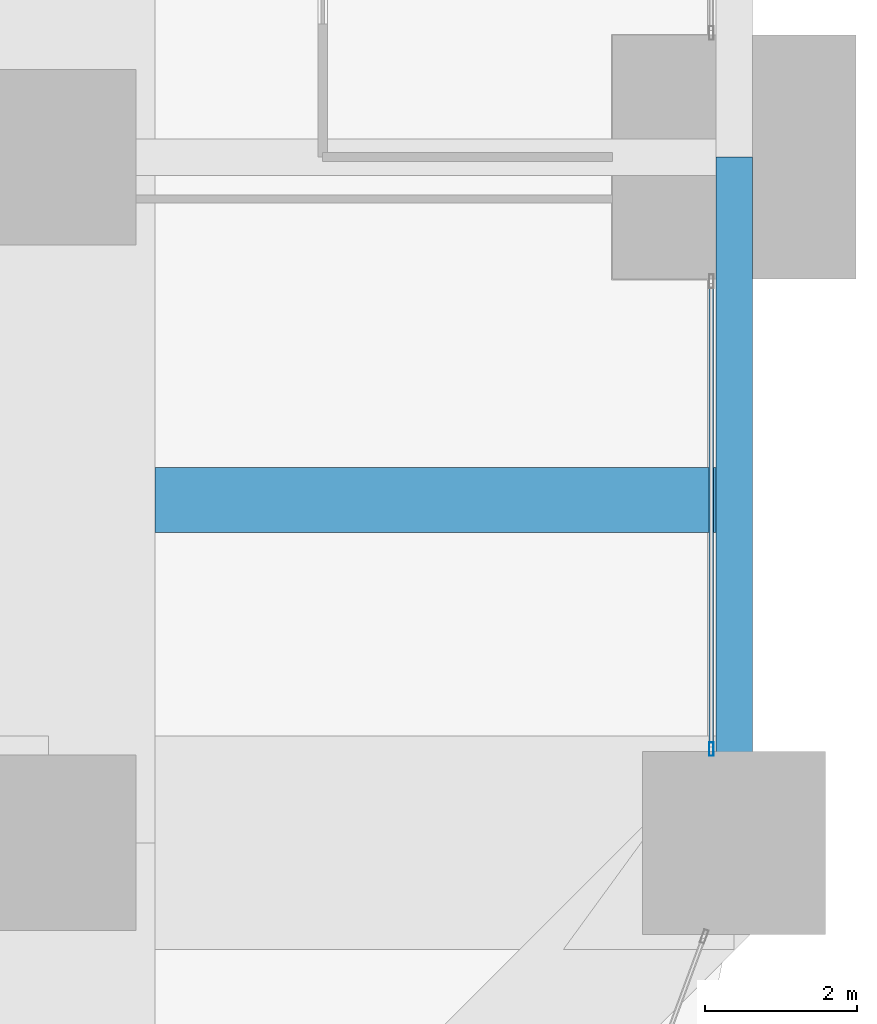
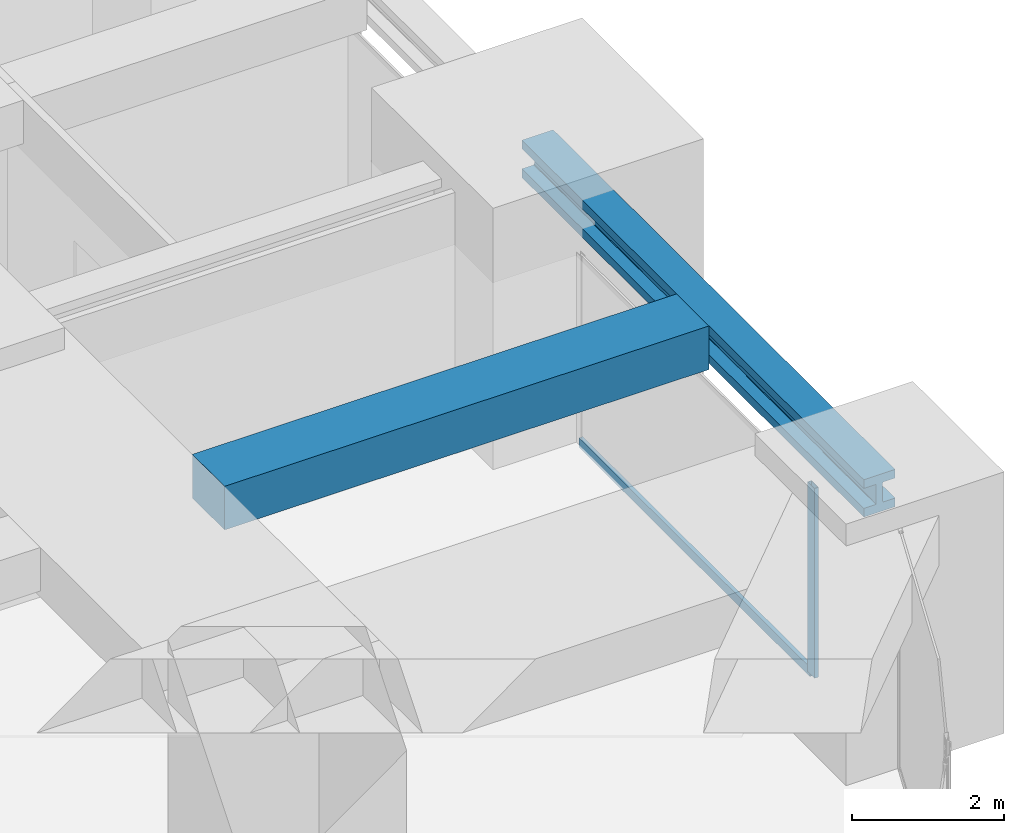
# One storey, part 17 of 42: 2 beams, 2 members, 1 element without a shape of its own.
"""IFC4 building model written with IfcOpenShell, lengths in metres."""

import ifcopenshell
import ifcopenshell.guid

model = None  # the IFC model being written
_history = None  # IfcOwnerHistory: only IFC2X3 demands one
_inside = {}  # id of a spatial element -> (the spatial element, [elements in it])
_under = {}  # id of a project, library or spatial element -> (it, [spatial elements below it])
_declared = {}  # id of a project -> (the project, [libraries it declares])
_typed = {}  # id of a type object -> (the type object, [elements of that type])
_made_of = {}  # id of a material, layer set ... -> (it, [elements and type objects made of it])


def new_model(schema):
    """Start an empty IFC model of exactly this schema.

    Asked for "IFC4X3", IfcOpenShell would pick the latest addendum, in which some entities
    have other attributes; the version numbers below select the first issue.
    IFC2X3 requires an IfcOwnerHistory on every rooted entity: one is made here for all.
    """
    global model, _history
    if schema == "IFC4X3":
        model = ifcopenshell.file(schema_version=(4, 3, 0, 0))
    else:
        model = ifcopenshell.file(schema=schema)
    _inside.clear()
    _under.clear()
    _declared.clear()
    _typed.clear()
    _made_of.clear()
    _history = None
    if model.schema == "IFC2X3":
        org = make("IfcOrganization", Name="unknown")
        user = make(
            "IfcPersonAndOrganization",
            ThePerson=make("IfcPerson", FamilyName="unknown"),
            TheOrganization=org,
        )
        app = make(
            "IfcApplication",
            ApplicationDeveloper=org,
            Version="unknown",
            ApplicationFullName="unknown",
            ApplicationIdentifier="unknown",
        )
        _history = make(
            "IfcOwnerHistory",
            OwningUser=user,
            OwningApplication=app,
            ChangeAction="ADDED",
            CreationDate=0,
        )
    return model


def make(cls, **values):
    """One entity of the class cls with the attributes given. An attribute that is None is left unset."""
    return model.create_entity(
        cls, **{name: value for name, value in values.items() if value is not None}
    )


def rooted(cls, **values):
    """An entity with a GlobalId (a new one), such as an element, a storey or a relation."""
    return make(cls, GlobalId=ifcopenshell.guid.new(), OwnerHistory=_history, **values)


def si_unit(unit_type, name, prefix=None):
    """IfcSIUnit, for example si_unit("LENGTHUNIT", "METRE", prefix="MILLI")."""
    return make("IfcSIUnit", UnitType=unit_type, Prefix=prefix, Name=name)


def assignment(units):
    """IfcUnitAssignment: the units of a project."""
    return None if units is None else make("IfcUnitAssignment", Units=units)


def point(xyz):
    """IfcCartesianPoint."""
    return None if xyz is None else make("IfcCartesianPoint", Coordinates=xyz)


def direction(xyz):
    """IfcDirection."""
    return None if xyz is None else make("IfcDirection", DirectionRatios=xyz)


def frame(location, z_axis=None, x_axis=None):
    """IfcAxis2Placement3D, a coordinate frame: its origin and axes. An axis left out is left unset."""
    return make(
        "IfcAxis2Placement3D",
        Location=point(location),
        Axis=direction(z_axis),
        RefDirection=direction(x_axis),
    )


def frame_2d(location, x_axis=None):
    """IfcAxis2Placement2D, a coordinate frame in the plane: its origin and x axis."""
    return make(
        "IfcAxis2Placement2D", Location=point(location), RefDirection=direction(x_axis)
    )


def origin():
    """The frame at (0, 0, 0) with its axes left unset."""
    return frame((0.0, 0.0, 0.0))


def origin_2d():
    """The frame at (0, 0) in the plane with its x axis left unset."""
    return frame_2d((0.0, 0.0))


def place(relative_to, where):
    """IfcLocalPlacement: puts the frame where relative to a parent placement (None: the world)."""
    return make(
        "IfcLocalPlacement", PlacementRelTo=relative_to, RelativePlacement=where
    )


def context(
    kind, dimensions, precision=None, world=None, true_north=None, identifier=None
):
    """IfcGeometricRepresentationContext, for example the 3D "Model" context."""
    return make(
        "IfcGeometricRepresentationContext",
        ContextIdentifier=identifier,
        ContextType=kind,
        CoordinateSpaceDimension=dimensions,
        Precision=precision,
        WorldCoordinateSystem=world,
        TrueNorth=true_north,
    )


def subcontext(parent, identifier, kind, view, scale=None):
    """IfcGeometricRepresentationSubContext, for example "Body" below "Model"."""
    return make(
        "IfcGeometricRepresentationSubContext",
        ContextIdentifier=identifier,
        ContextType=kind,
        ParentContext=parent,
        TargetScale=scale,
        TargetView=view,
    )


def project(units=None, contexts=None):
    """IfcProject with its units and contexts."""
    return rooted(
        "IfcProject",
        Name="project",
        RepresentationContexts=contexts,
        UnitsInContext=assignment(units),
    )


def spatial(cls, under=None, at=None, **own):
    """A site, building, storey or space (cls), placed at a placement, below another one or the project."""
    s = rooted(cls, ObjectPlacement=at, **own)
    if under is not None:
        _under.setdefault(under.id(), (under, []))[1].append(s)
    return s


def profile(cls, at=None, kind="AREA", **sizes):
    """A parametric profile (cls). Its sizes go by their IFC names, for example OverallWidth=200.0."""
    return make(cls, ProfileType=kind, Position=at, **sizes)


def rectangle(**sizes):
    """IfcRectangleProfileDef."""
    return profile("IfcRectangleProfileDef", **sizes)


def hollow_rectangle(**sizes):
    """IfcRectangleHollowProfileDef."""
    return profile("IfcRectangleHollowProfileDef", **sizes)


def i_section(**sizes):
    """IfcIShapeProfileDef."""
    return profile("IfcIShapeProfileDef", **sizes)


def extrude(swept, where, along, depth):
    """IfcExtrudedAreaSolid: the profile swept, set in the frame where, extruded along a direction by depth."""
    return make(
        "IfcExtrudedAreaSolid",
        SweptArea=swept,
        Position=where,
        ExtrudedDirection=direction(along),
        Depth=depth,
    )


def shape(context_of_items, identifier, shape_type, items):
    """IfcShapeRepresentation: the items that make up one representation, for example the "Body"."""
    return make(
        "IfcShapeRepresentation",
        ContextOfItems=context_of_items,
        RepresentationIdentifier=identifier,
        RepresentationType=shape_type,
        Items=items,
    )


def material(Name=None, Category=None):
    """IfcMaterial."""
    return make("IfcMaterial", Name=Name, Category=Category)


def material_profile(
    of_material, cross_section, Name=None, Category=None, Priority=None
):
    """IfcMaterialProfile: a cross section and its material."""
    return make(
        "IfcMaterialProfile",
        Name=Name,
        Material=of_material,
        Profile=cross_section,
        Priority=Priority,
        Category=Category,
    )


def profile_set(profiles, Name=None, composite=None):
    """IfcMaterialProfileSet."""
    return make(
        "IfcMaterialProfileSet",
        Name=Name,
        MaterialProfiles=profiles,
        CompositeProfile=composite,
    )


def made_of(thing, what):
    """Note that an element or type object is made of a material, layer set ...; save() writes the relation."""
    if what is not None:
        _made_of.setdefault(what.id(), (what, []))[1].append(thing)
    return thing


def type_object(cls, material=None, **own):
    """A type object (cls), such as IfcWallType, which elements share."""
    return made_of(rooted(cls, **own), material)


def element(
    cls,
    number,
    at=None,
    inside=None,
    cuts=None,
    type_object=None,
    material=None,
    context=None,
    identifier="Body",
    shape_type=None,
    held_by="IfcProductDefinitionShape",
    body=None,
    shapes=None,
    **own,
):
    """One element of the class cls, such as IfcWall. Its Tag is "e" and its number.

    at: its placement. inside: the storey or other place that contains it. cuts: it is an
    opening in that element (IfcRelVoidsElement). A single representation is given by context,
    identifier, shape_type and body (its items); several are given by shapes. held_by: the class
    of the entity that holds the representations. save() writes the other relations.
    """
    e = rooted(cls, Tag="e%d" % number, ObjectPlacement=at, **own)
    if body is not None:
        shapes = [shape(context, identifier, shape_type, body)]
    if shapes is not None:
        e.Representation = make(held_by, Representations=shapes)
    if inside is not None:
        _inside.setdefault(inside.id(), (inside, []))[1].append(e)
    if cuts is not None:
        rooted(
            "IfcRelVoidsElement", RelatingBuildingElement=cuts, RelatedOpeningElement=e
        )
    if type_object is not None:
        _typed.setdefault(type_object.id(), (type_object, []))[1].append(e)
    return made_of(e, material)


def aggregate(whole, parts):
    """IfcRelAggregates: a whole, such as a stair, and the parts it consists of."""
    return rooted("IfcRelAggregates", RelatingObject=whole, RelatedObjects=parts)


def save(model, path):
    """Write the relations noted so far, then the file.

    IfcRelAggregates (storeys below a building ...), IfcRelContainedInSpatialStructure (elements
    in a storey), IfcRelDefinesByType, IfcRelAssociatesMaterial and IfcRelDeclares: one each for
    every whole, place, type object, material and project.
    """
    for whole, parts in _under.values():
        aggregate(whole, parts)
    for where, things in _inside.values():
        rooted(
            "IfcRelContainedInSpatialStructure",
            RelatedElements=things,
            RelatingStructure=where,
        )
    for kind, things in _typed.values():
        rooted("IfcRelDefinesByType", RelatedObjects=things, RelatingType=kind)
    for what, things in _made_of.values():
        rooted("IfcRelAssociatesMaterial", RelatedObjects=things, RelatingMaterial=what)
    for by, libraries in _declared.values():
        rooted("IfcRelDeclares", RelatingContext=by, RelatedDefinitions=libraries)
    model.write(path)


model = new_model("IFC4")

# Units and contexts
model_context = context("Model", 3, precision=1e-05, world=origin(), true_north=direction((0.0, 1.0)))
body_context = subcontext(model_context, "Body", "Model", "MODEL_VIEW")
ifc_project = project(units=[si_unit("LENGTHUNIT", "METRE"), si_unit("AREAUNIT", "SQUARE_METRE"), si_unit("VOLUMEUNIT", "CUBIC_METRE"), si_unit("PLANEANGLEUNIT", "RADIAN"), si_unit("MASSUNIT", "GRAM", prefix="KILO")], contexts=[model_context])

# Site, building, storey
site_placement = place(None, origin())
site = spatial("IfcSite", under=ifc_project, at=site_placement, CompositionType="ELEMENT")
building_placement = place(site_placement, origin())
building = spatial("IfcBuilding", under=site, at=building_placement, Name="Zorevar Civic Tower", CompositionType="ELEMENT")
storey_placement = place(building_placement, frame((0.0, 0.0, 75.800048828125)))
storey = spatial("IfcBuildingStorey", under=building, at=storey_placement, Name="L18", CompositionType="ELEMENT", Elevation=75.800048828125)

# Beams
ifc_material_1 = material(Name="Concrete C50/60", Category="concrete")
ifc_material_profile_1 = material_profile(ifc_material_1, rectangle(XDim=0.85009765625, YDim=0.699951171875, at=origin_2d()), Name="RC 850x700")
ifc_profile_set_1 = profile_set([ifc_material_profile_1], Name="Concrete C50/60")
beam_type_1 = type_object("IfcBeamType", Name="Beam RC 850x700", PredefinedType="BEAM", material=ifc_profile_set_1)
beam_1_placement = place(storey_placement, frame((55.39990234375, 13.5, 3.5), z_axis=(1.0, 0.0, 0.0), x_axis=(0.0, 1.0, 0.0)))
element("IfcBeam", 1, at=beam_1_placement, inside=storey, type_object=beam_type_1, Name="Secondary beam L19", PredefinedType="BEAM", context=body_context, shape_type="SweptSolid", body=[
    extrude(rectangle(XDim=0.85009765625, YDim=0.699951171875, at=origin_2d()), origin(), (0.0, 0.0, 1.0), 7.362060546875),
])
ifc_material_2 = material(Name="Steel S460M (HISTAR 460)", Category="steel")
ifc_material_profile_2 = material_profile(ifc_material_2, i_section(OverallWidth=0.47607421875, OverallDepth=0.60009765625, WebThickness=0.10009765625, FlangeThickness=0.139892578125, FilletRadius=0.014892578125, at=origin_2d()), Name="HD 400x1299")
ifc_profile_set_2 = profile_set([ifc_material_profile_2], Name="Steel S460M (HISTAR 460)")
beam_type_2 = type_object("IfcBeamType", Name="Belt chord HD 400x1299", PredefinedType="BEAM", material=ifc_profile_set_2)
beam_2_placement = place(storey_placement, frame((63.0, 9.0, 3.550048828125), z_axis=(0.0, 1.0, 0.0), x_axis=(-1.0, 0.0, 0.0)))
element("IfcBeam", 2, at=beam_2_placement, inside=storey, type_object=beam_type_2, Name="Belt chord L19", PredefinedType="BEAM", context=body_context, shape_type="SweptSolid", body=[
    extrude(i_section(OverallWidth=0.47607421875, OverallDepth=0.60009765625, WebThickness=0.10009765625, FlangeThickness=0.139892578125, FilletRadius=0.014892578125, at=origin_2d()), origin(), (0.0, 0.0, 1.0), 9.0),
])

# Curtain wall, members
ifc_material_3 = material(Name="Dark grey solar-control glass in black aluminium frame", Category="aluminium")
curtain_wall_type = type_object("IfcCurtainWallType", Name="Curtain wall CW2 low zone", PredefinedType="NOTDEFINED", material=ifc_material_3)
curtain_wall_placement = place(storey_placement, origin())
curtain_wall = element("IfcCurtainWall", 3, at=curtain_wall_placement, inside=storey, type_object=curtain_wall_type, Name="CW2 L18", PredefinedType="NOTDEFINED")
ifc_material_4 = material(Name="Aluminium, black anodised", Category="aluminium")
ifc_material_profile_3 = material_profile(ifc_material_4, hollow_rectangle(XDim=0.06005859375, YDim=0.179931640625, WallThickness=0.00390625, at=origin_2d()), Name="AL 180x60x4")
ifc_profile_set_3 = profile_set([ifc_material_profile_3], Name="Aluminium, black anodised")
member_type_1 = type_object("IfcMemberType", Name="CW2 mullion AL 180x60x4", PredefinedType="MULLION", material=ifc_profile_set_3)
member_1_placement = place(storey_placement, frame((62.699951171875, 10.22998046875, 0.0), z_axis=(0.0, 0.0, 1.0), x_axis=(-1.0, 0.0, 0.0)))
member_1 = element("IfcMember", 4, at=member_1_placement, type_object=member_type_1, Name="CW2 mullion 1", PredefinedType="MULLION", context=body_context, shape_type="SweptSolid", body=[
    extrude(hollow_rectangle(XDim=0.06005859375, YDim=0.179931640625, WallThickness=0.00390625, at=origin_2d()), origin(), (0.0, 0.0, 1.0), 3.050048828125),
])
ifc_material_5 = material(Name="Aluminium, black anodised", Category="aluminium")
ifc_material_profile_4 = material_profile(ifc_material_5, hollow_rectangle(XDim=0.06005859375, YDim=0.14990234375, WallThickness=0.00390625, at=origin_2d()), Name="AL 150x60x4")
ifc_profile_set_4 = profile_set([ifc_material_profile_4], Name="Aluminium, black anodised")
member_type_2 = type_object("IfcMemberType", Name="CW2 transom AL 150x60x4", PredefinedType="USERDEFINED", material=ifc_profile_set_4)
member_2_placement = place(storey_placement, frame((62.699951171875, 10.260009765625, 0.030029296875), z_axis=(0.0, 1.0, 0.0), x_axis=(-1.0, 0.0, 0.0)))
member_2 = element("IfcMember", 5, at=member_2_placement, type_object=member_type_2, Name="CW2 sill transom", ObjectType="TRANSOM", PredefinedType="USERDEFINED", context=body_context, shape_type="SweptSolid", body=[
    extrude(hollow_rectangle(XDim=0.06005859375, YDim=0.14990234375, WallThickness=0.00390625, at=origin_2d()), origin(), (0.0, 0.0, 1.0), 6.080078125),
])
aggregate(curtain_wall, [member_1, member_2])

save(model, "model.ifc")
